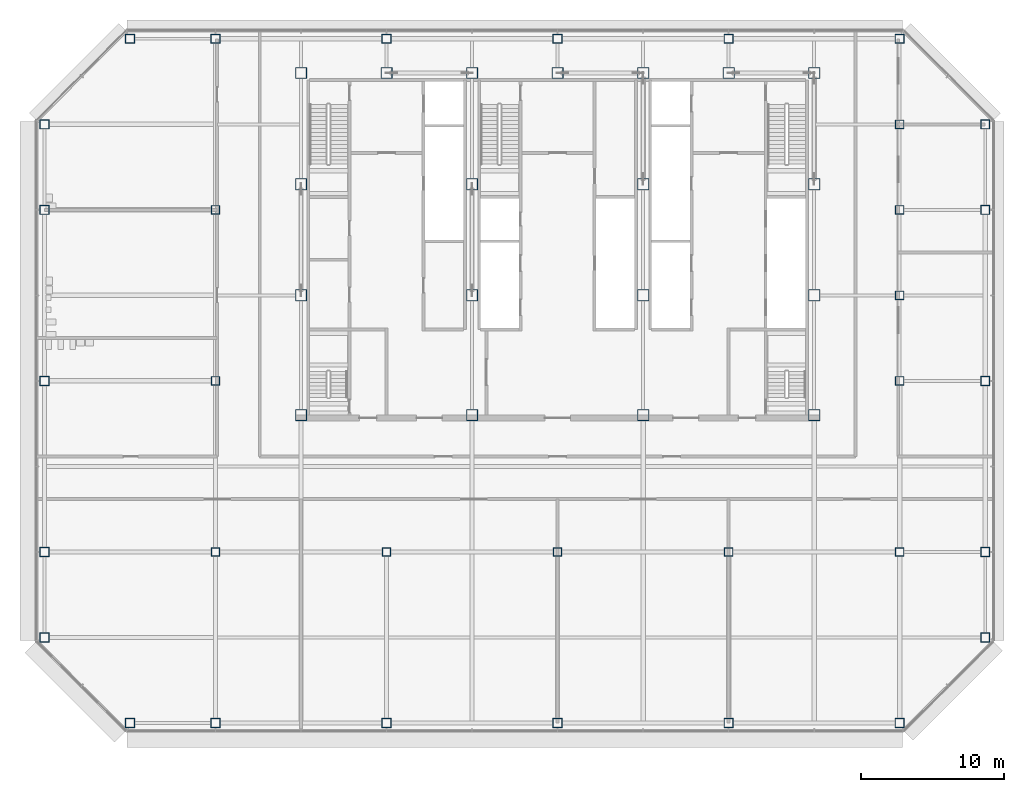
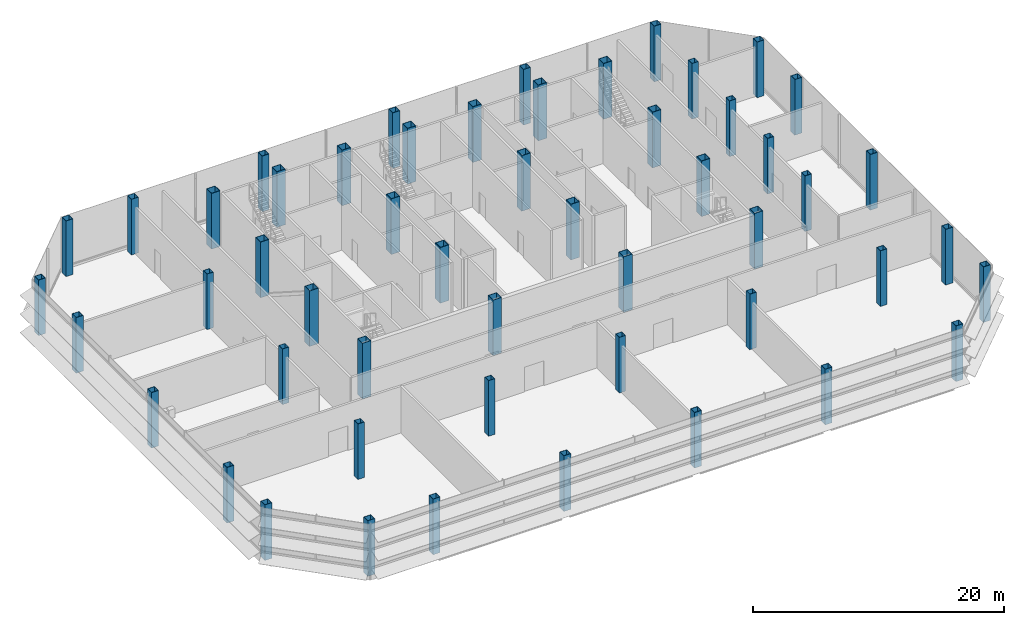
# One storey, part 1 of 25: 52 columns.
"""IFC4 building model written with IfcOpenShell, lengths in metres."""

from ifc_helpers import new_model, si_unit, direction, frame, origin, origin_2d, place, context, subcontext, project, spatial, hollow_rectangle, extrude, material, material_profile, profile_set, type_object, element, save


model = new_model("IFC4")

# Units and contexts
model_context = context("Model", 3, precision=1e-05, world=origin(), true_north=direction((0.0, 1.0)))
body_context = subcontext(model_context, "Body", "Model", "MODEL_VIEW")
ifc_project = project(units=[si_unit("LENGTHUNIT", "METRE"), si_unit("AREAUNIT", "SQUARE_METRE"), si_unit("VOLUMEUNIT", "CUBIC_METRE"), si_unit("PLANEANGLEUNIT", "RADIAN"), si_unit("MASSUNIT", "GRAM", prefix="KILO")], contexts=[model_context])

# Site, building, storey
site_placement = place(None, origin())
site = spatial("IfcSite", under=ifc_project, at=site_placement, CompositionType="ELEMENT")
building_placement = place(site_placement, origin())
building = spatial("IfcBuilding", under=site, at=building_placement, Name="Sorahane Residences", CompositionType="ELEMENT")
storey_placement = place(building_placement, frame((0.0, 0.0, 210.0)))
storey = spatial("IfcBuildingStorey", under=building, at=storey_placement, Name="L49", CompositionType="ELEMENT", Elevation=210.0)

# Columns
ifc_material_1 = material(Name="Steel Q355B", Category="steel")
ifc_material_profile_1 = material_profile(ifc_material_1, hollow_rectangle(XDim=0.60009765625, YDim=0.60009765625, WallThickness=0.028076171875, at=origin_2d()), Name="BOX 600x600x28")
ifc_profile_set_1 = profile_set([ifc_material_profile_1], Name="Steel Q355B")
column_type_1 = type_object("IfcColumnType", Name="Steel box column BOX 600x600x28 Q355B", PredefinedType="COLUMN", material=ifc_profile_set_1)
for number, where, z_axis, x_axis, name in (
    (1, (0.0, 12.0, 0.0), (0.0, 0.0, 1.0), (1.0, 0.0, 0.0), "Column L49 0/12"),
    (2, (0.0, 24.0, 0.0), (0.0, 0.0, 1.0), (1.0, 0.0, 0.0), "Column L49 0/24"),
    (3, (0.0, 36.0, 0.0), (0.0, 0.0, 1.0), (1.0, 0.0, 0.0), "Column L49 0/36"),
    (4, (12.0, 12.0, 0.0), (0.0, 0.0, 1.0), (1.0, 0.0, 0.0), "Column L49 12/12"),
    (5, (24.0, 12.0, 0.0), (0.0, 0.0, 1.0), (1.0, 0.0, 0.0), "Column L49 24/12"),
    (6, (36.0, 12.0, 0.0), (0.0, 0.0, 1.0), (1.0, 0.0, 0.0), "Column L49 36/12"),
    (7, (48.0, 12.0, 0.0), (0.0, 0.0, 1.0), (1.0, 0.0, 0.0), "Column L49 48/12"),
    (8, (48.0, 24.0, 0.0), (0.0, 0.0, 1.0), (1.0, 0.0, 0.0), "Column L49 48/24"),
    (9, (48.0, 30.0, 0.0), (0.0, 0.0, 1.0), (1.0, 0.0, 0.0), "Column L49 48/30"),
    (10, (48.0, 36.0, 0.0), (0.0, 0.0, 1.0), (1.0, 0.0, 0.0), "Column L49 48/36"),
    (11, (48.0, 42.0, 0.0), (0.0, 0.0, 1.0), (1.0, 0.0, 0.0), "Column L49 48/42"),
):
    element("IfcColumn", number, at=place(storey_placement, frame(where, z_axis=z_axis, x_axis=x_axis)), inside=storey, type_object=column_type_1, Name=name, PredefinedType="COLUMN", context=body_context, shape_type="SweptSolid", body=[
        extrude(hollow_rectangle(XDim=0.60009765625, YDim=0.60009765625, WallThickness=0.028076171875, at=origin_2d()), origin(), (0.0, 0.0, 1.0), 5.39990234375),
    ])
ifc_material_2 = material(Name="Steel Q355B", Category="steel")
ifc_material_profile_2 = material_profile(ifc_material_2, hollow_rectangle(XDim=0.64990234375, YDim=0.64990234375, WallThickness=0.031982421875, at=origin_2d()), Name="BOX 650x650x32")
ifc_profile_set_2 = profile_set([ifc_material_profile_2], Name="Steel Q355B")
column_type_2 = type_object("IfcColumnType", Name="Steel box column BOX 650x650x32 Q355B", PredefinedType="COLUMN", material=ifc_profile_set_2)
for number, where, z_axis, x_axis, name in (
    (12, (-12.0, 6.0, 0.0), (0.0, 0.0, 1.0), (1.0, 0.0, 0.0), "Column L49 m12/6"),
    (13, (-12.0, 12.0, 0.0), (0.0, 0.0, 1.0), (1.0, 0.0, 0.0), "Column L49 m12/12"),
    (14, (-12.0, 24.0, 0.0), (0.0, 0.0, 1.0), (1.0, 0.0, 0.0), "Column L49 m12/24"),
    (15, (-12.0, 36.0, 0.0), (0.0, 0.0, 1.0), (1.0, 0.0, 0.0), "Column L49 m12/36"),
    (16, (-12.0, 42.0, 0.0), (0.0, 0.0, 1.0), (1.0, 0.0, 0.0), "Column L49 m12/42"),
    (17, (-6.0, 0.0, 0.0), (0.0, 0.0, 1.0), (1.0, 0.0, 0.0), "Column L49 m6/0"),
    (18, (-6.0, 48.0, 0.0), (0.0, 0.0, 1.0), (1.0, 0.0, 0.0), "Column L49 m6/48"),
    (19, (0.0, 0.0, 0.0), (0.0, 0.0, 1.0), (1.0, 0.0, 0.0), "Column L49 0/0"),
    (20, (0.0, 48.0, 0.0), (0.0, 0.0, 1.0), (1.0, 0.0, 0.0), "Column L49 0/48"),
    (21, (12.0, 0.0, 0.0), (0.0, 0.0, 1.0), (1.0, 0.0, 0.0), "Column L49 12/0"),
    (22, (12.0, 48.0, 0.0), (0.0, 0.0, 1.0), (1.0, 0.0, 0.0), "Column L49 12/48"),
    (23, (24.0, 0.0, 0.0), (0.0, 0.0, 1.0), (1.0, 0.0, 0.0), "Column L49 24/0"),
    (24, (24.0, 48.0, 0.0), (0.0, 0.0, 1.0), (1.0, 0.0, 0.0), "Column L49 24/48"),
    (25, (36.0, 0.0, 0.0), (0.0, 0.0, 1.0), (1.0, 0.0, 0.0), "Column L49 36/0"),
    (26, (36.0, 48.0, 0.0), (0.0, 0.0, 1.0), (1.0, 0.0, 0.0), "Column L49 36/48"),
    (27, (48.0, 0.0, 0.0), (0.0, 0.0, 1.0), (1.0, 0.0, 0.0), "Column L49 48/0"),
    (28, (48.0, 48.0, 0.0), (0.0, 0.0, 1.0), (1.0, 0.0, 0.0), "Column L49 48/48"),
    (29, (54.0, 6.0, 0.0), (0.0, 0.0, 1.0), (1.0, 0.0, 0.0), "Column L49 54/6"),
    (30, (54.0, 12.0, 0.0), (0.0, 0.0, 1.0), (1.0, 0.0, 0.0), "Column L49 54/12"),
    (31, (54.0, 24.0, 0.0), (0.0, 0.0, 1.0), (1.0, 0.0, 0.0), "Column L49 54/24"),
    (32, (54.0, 36.0, 0.0), (0.0, 0.0, 1.0), (1.0, 0.0, 0.0), "Column L49 54/36"),
    (33, (54.0, 42.0, 0.0), (0.0, 0.0, 1.0), (1.0, 0.0, 0.0), "Column L49 54/42"),
):
    element("IfcColumn", number, at=place(storey_placement, frame(where, z_axis=z_axis, x_axis=x_axis)), inside=storey, type_object=column_type_2, Name=name, PredefinedType="COLUMN", context=body_context, shape_type="SweptSolid", body=[
        extrude(hollow_rectangle(XDim=0.64990234375, YDim=0.64990234375, WallThickness=0.031982421875, at=origin_2d()), origin(), (0.0, 0.0, 1.0), 5.39990234375),
    ])
ifc_material_3 = material(Name="Steel Q355B", Category="steel")
ifc_material_profile_3 = material_profile(ifc_material_3, hollow_rectangle(XDim=0.800048828125, YDim=0.800048828125, WallThickness=0.0400390625, at=origin_2d()), Name="BOX 800x800x40")
ifc_profile_set_3 = profile_set([ifc_material_profile_3], Name="Steel Q355B")
column_type_3 = type_object("IfcColumnType", Name="Steel box column BOX 800x800x40 Q355B", PredefinedType="COLUMN", material=ifc_profile_set_3)
for number, where, z_axis, x_axis, name in (
    (34, (6.0, 21.60009765625, 0.0), (0.0, 0.0, 1.0), (1.0, 0.0, 0.0), "Column L49 6/21.6"),
    (35, (6.0, 30.0, 0.0), (0.0, 0.0, 1.0), (1.0, 0.0, 0.0), "Column L49 6/30"),
    (36, (6.0, 37.800048828125, 0.0), (0.0, 0.0, 1.0), (1.0, 0.0, 0.0), "Column L49 6/37.8"),
    (37, (6.0, 45.60009765625, 0.0), (0.0, 0.0, 1.0), (1.0, 0.0, 0.0), "Column L49 6/45.6"),
    (38, (12.0, 45.60009765625, 0.0), (0.0, 0.0, 1.0), (1.0, 0.0, 0.0), "Column L49 12/45.6"),
    (39, (18.0, 21.60009765625, 0.0), (0.0, 0.0, 1.0), (1.0, 0.0, 0.0), "Column L49 18/21.6"),
    (40, (18.0, 30.0, 0.0), (0.0, 0.0, 1.0), (1.0, 0.0, 0.0), "Column L49 18/30"),
    (41, (18.0, 37.800048828125, 0.0), (0.0, 0.0, 1.0), (1.0, 0.0, 0.0), "Column L49 18/37.8"),
    (42, (18.0, 45.60009765625, 0.0), (0.0, 0.0, 1.0), (1.0, 0.0, 0.0), "Column L49 18/45.6"),
    (43, (24.0, 45.60009765625, 0.0), (0.0, 0.0, 1.0), (1.0, 0.0, 0.0), "Column L49 24/45.6"),
    (44, (30.0, 21.60009765625, 0.0), (0.0, 0.0, 1.0), (1.0, 0.0, 0.0), "Column L49 30/21.6"),
    (45, (30.0, 30.0, 0.0), (0.0, 0.0, 1.0), (1.0, 0.0, 0.0), "Column L49 30/30"),
    (46, (30.0, 37.800048828125, 0.0), (0.0, 0.0, 1.0), (1.0, 0.0, 0.0), "Column L49 30/37.8"),
    (47, (30.0, 45.60009765625, 0.0), (0.0, 0.0, 1.0), (1.0, 0.0, 0.0), "Column L49 30/45.6"),
    (48, (36.0, 45.60009765625, 0.0), (0.0, 0.0, 1.0), (1.0, 0.0, 0.0), "Column L49 36/45.6"),
    (49, (42.0, 21.60009765625, 0.0), (0.0, 0.0, 1.0), (1.0, 0.0, 0.0), "Column L49 42/21.6"),
    (50, (42.0, 30.0, 0.0), (0.0, 0.0, 1.0), (1.0, 0.0, 0.0), "Column L49 42/30"),
    (51, (42.0, 37.800048828125, 0.0), (0.0, 0.0, 1.0), (1.0, 0.0, 0.0), "Column L49 42/37.8"),
    (52, (42.0, 45.60009765625, 0.0), (0.0, 0.0, 1.0), (1.0, 0.0, 0.0), "Column L49 42/45.6"),
):
    element("IfcColumn", number, at=place(storey_placement, frame(where, z_axis=z_axis, x_axis=x_axis)), inside=storey, type_object=column_type_3, Name=name, PredefinedType="COLUMN", context=body_context, shape_type="SweptSolid", body=[
        extrude(hollow_rectangle(XDim=0.800048828125, YDim=0.800048828125, WallThickness=0.0400390625, at=origin_2d()), origin(), (0.0, 0.0, 1.0), 5.39990234375),
    ])

save(model, "model.ifc")
